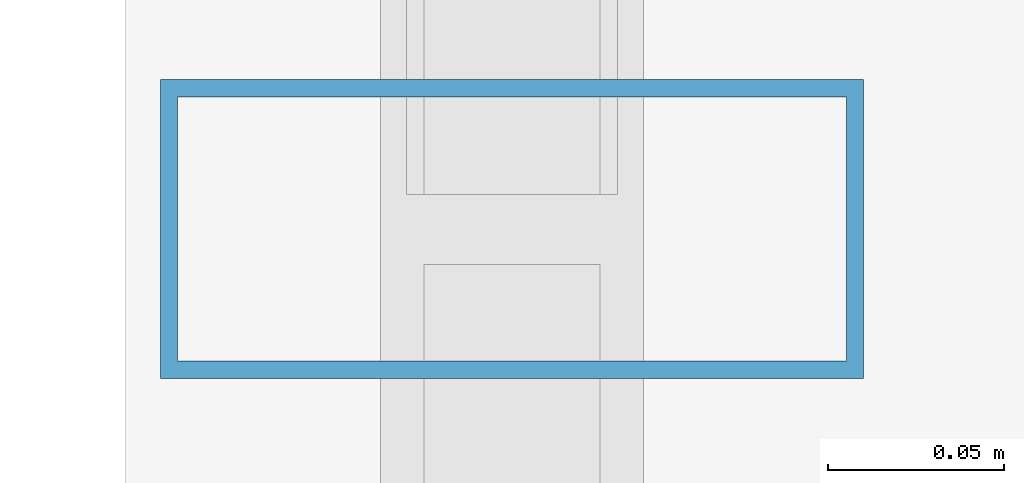
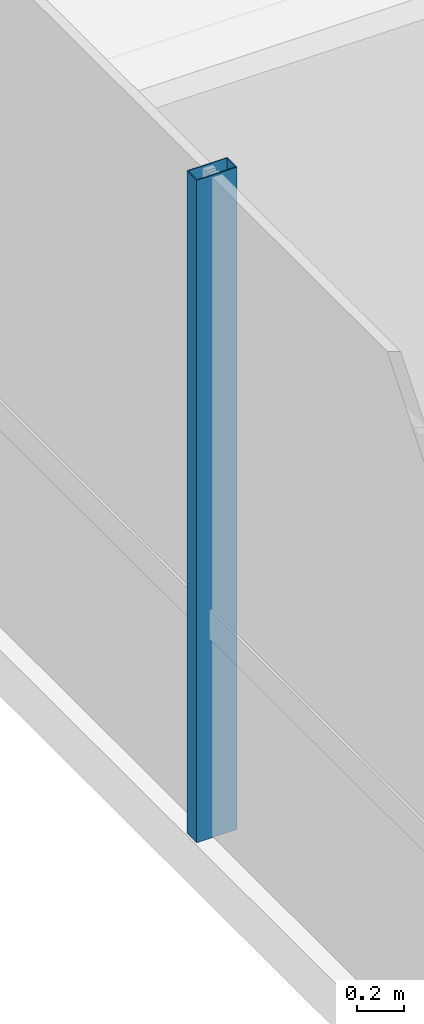
# One storey, part 8 of 40: 1 member, 1 element without a shape of its own.
"""IFC4 building model written with IfcOpenShell, lengths in metres."""

import ifcopenshell
import ifcopenshell.guid

model = None  # the IFC model being written
_history = None  # IfcOwnerHistory: only IFC2X3 demands one
_inside = {}  # id of a spatial element -> (the spatial element, [elements in it])
_under = {}  # id of a project, library or spatial element -> (it, [spatial elements below it])
_declared = {}  # id of a project -> (the project, [libraries it declares])
_typed = {}  # id of a type object -> (the type object, [elements of that type])
_made_of = {}  # id of a material, layer set ... -> (it, [elements and type objects made of it])


def new_model(schema):
    """Start an empty IFC model of exactly this schema.

    Asked for "IFC4X3", IfcOpenShell would pick the latest addendum, in which some entities
    have other attributes; the version numbers below select the first issue.
    IFC2X3 requires an IfcOwnerHistory on every rooted entity: one is made here for all.
    """
    global model, _history
    if schema == "IFC4X3":
        model = ifcopenshell.file(schema_version=(4, 3, 0, 0))
    else:
        model = ifcopenshell.file(schema=schema)
    _inside.clear()
    _under.clear()
    _declared.clear()
    _typed.clear()
    _made_of.clear()
    _history = None
    if model.schema == "IFC2X3":
        org = make("IfcOrganization", Name="unknown")
        user = make(
            "IfcPersonAndOrganization",
            ThePerson=make("IfcPerson", FamilyName="unknown"),
            TheOrganization=org,
        )
        app = make(
            "IfcApplication",
            ApplicationDeveloper=org,
            Version="unknown",
            ApplicationFullName="unknown",
            ApplicationIdentifier="unknown",
        )
        _history = make(
            "IfcOwnerHistory",
            OwningUser=user,
            OwningApplication=app,
            ChangeAction="ADDED",
            CreationDate=0,
        )
    return model


def make(cls, **values):
    """One entity of the class cls with the attributes given. An attribute that is None is left unset."""
    return model.create_entity(
        cls, **{name: value for name, value in values.items() if value is not None}
    )


def rooted(cls, **values):
    """An entity with a GlobalId (a new one), such as an element, a storey or a relation."""
    return make(cls, GlobalId=ifcopenshell.guid.new(), OwnerHistory=_history, **values)


def si_unit(unit_type, name, prefix=None):
    """IfcSIUnit, for example si_unit("LENGTHUNIT", "METRE", prefix="MILLI")."""
    return make("IfcSIUnit", UnitType=unit_type, Prefix=prefix, Name=name)


def assignment(units):
    """IfcUnitAssignment: the units of a project."""
    return None if units is None else make("IfcUnitAssignment", Units=units)


def point(xyz):
    """IfcCartesianPoint."""
    return None if xyz is None else make("IfcCartesianPoint", Coordinates=xyz)


def direction(xyz):
    """IfcDirection."""
    return None if xyz is None else make("IfcDirection", DirectionRatios=xyz)


def frame(location, z_axis=None, x_axis=None):
    """IfcAxis2Placement3D, a coordinate frame: its origin and axes. An axis left out is left unset."""
    return make(
        "IfcAxis2Placement3D",
        Location=point(location),
        Axis=direction(z_axis),
        RefDirection=direction(x_axis),
    )


def frame_2d(location, x_axis=None):
    """IfcAxis2Placement2D, a coordinate frame in the plane: its origin and x axis."""
    return make(
        "IfcAxis2Placement2D", Location=point(location), RefDirection=direction(x_axis)
    )


def origin():
    """The frame at (0, 0, 0) with its axes left unset."""
    return frame((0.0, 0.0, 0.0))


def origin_2d():
    """The frame at (0, 0) in the plane with its x axis left unset."""
    return frame_2d((0.0, 0.0))


def place(relative_to, where):
    """IfcLocalPlacement: puts the frame where relative to a parent placement (None: the world)."""
    return make(
        "IfcLocalPlacement", PlacementRelTo=relative_to, RelativePlacement=where
    )


def context(
    kind, dimensions, precision=None, world=None, true_north=None, identifier=None
):
    """IfcGeometricRepresentationContext, for example the 3D "Model" context."""
    return make(
        "IfcGeometricRepresentationContext",
        ContextIdentifier=identifier,
        ContextType=kind,
        CoordinateSpaceDimension=dimensions,
        Precision=precision,
        WorldCoordinateSystem=world,
        TrueNorth=true_north,
    )


def subcontext(parent, identifier, kind, view, scale=None):
    """IfcGeometricRepresentationSubContext, for example "Body" below "Model"."""
    return make(
        "IfcGeometricRepresentationSubContext",
        ContextIdentifier=identifier,
        ContextType=kind,
        ParentContext=parent,
        TargetScale=scale,
        TargetView=view,
    )


def project(units=None, contexts=None):
    """IfcProject with its units and contexts."""
    return rooted(
        "IfcProject",
        Name="project",
        RepresentationContexts=contexts,
        UnitsInContext=assignment(units),
    )


def spatial(cls, under=None, at=None, **own):
    """A site, building, storey or space (cls), placed at a placement, below another one or the project."""
    s = rooted(cls, ObjectPlacement=at, **own)
    if under is not None:
        _under.setdefault(under.id(), (under, []))[1].append(s)
    return s


def profile(cls, at=None, kind="AREA", **sizes):
    """A parametric profile (cls). Its sizes go by their IFC names, for example OverallWidth=200.0."""
    return make(cls, ProfileType=kind, Position=at, **sizes)


def hollow_rectangle(**sizes):
    """IfcRectangleHollowProfileDef."""
    return profile("IfcRectangleHollowProfileDef", **sizes)


def extrude(swept, where, along, depth):
    """IfcExtrudedAreaSolid: the profile swept, set in the frame where, extruded along a direction by depth."""
    return make(
        "IfcExtrudedAreaSolid",
        SweptArea=swept,
        Position=where,
        ExtrudedDirection=direction(along),
        Depth=depth,
    )


def shape(context_of_items, identifier, shape_type, items):
    """IfcShapeRepresentation: the items that make up one representation, for example the "Body"."""
    return make(
        "IfcShapeRepresentation",
        ContextOfItems=context_of_items,
        RepresentationIdentifier=identifier,
        RepresentationType=shape_type,
        Items=items,
    )


def source(mapping_origin, context_of_items, identifier, shape_type, items):
    """IfcRepresentationMap: a shape defined once, which mapped items show again and again."""
    return make(
        "IfcRepresentationMap",
        MappingOrigin=mapping_origin,
        MappedRepresentation=shape(context_of_items, identifier, shape_type, items),
    )


def transform(
    local_origin,
    x_axis=None,
    y_axis=None,
    z_axis=None,
    scale=None,
    scale2=None,
    scale3=None,
    uniform=True,
):
    """IfcCartesianTransformationOperator3D, or its non-uniform kind. x_axis, y_axis, z_axis: its Axis1, 2, 3."""
    if uniform:
        return make(
            "IfcCartesianTransformationOperator3D",
            Axis1=direction(x_axis),
            Axis2=direction(y_axis),
            LocalOrigin=point(local_origin),
            Scale=scale,
            Axis3=direction(z_axis),
        )
    return make(
        "IfcCartesianTransformationOperator3DnonUniform",
        Axis1=direction(x_axis),
        Axis2=direction(y_axis),
        LocalOrigin=point(local_origin),
        Scale=scale,
        Axis3=direction(z_axis),
        Scale2=scale2,
        Scale3=scale3,
    )


def mapped(mapping_source, mapping_target):
    """IfcMappedItem: shows the shape of a source again, moved by a transform."""
    return make(
        "IfcMappedItem", MappingSource=mapping_source, MappingTarget=mapping_target
    )


def material(Name=None, Category=None):
    """IfcMaterial."""
    return make("IfcMaterial", Name=Name, Category=Category)


def material_profile(
    of_material, cross_section, Name=None, Category=None, Priority=None
):
    """IfcMaterialProfile: a cross section and its material."""
    return make(
        "IfcMaterialProfile",
        Name=Name,
        Material=of_material,
        Profile=cross_section,
        Priority=Priority,
        Category=Category,
    )


def profile_set(profiles, Name=None, composite=None):
    """IfcMaterialProfileSet."""
    return make(
        "IfcMaterialProfileSet",
        Name=Name,
        MaterialProfiles=profiles,
        CompositeProfile=composite,
    )


def made_of(thing, what):
    """Note that an element or type object is made of a material, layer set ...; save() writes the relation."""
    if what is not None:
        _made_of.setdefault(what.id(), (what, []))[1].append(thing)
    return thing


def type_object(cls, material=None, **own):
    """A type object (cls), such as IfcWallType, which elements share."""
    return made_of(rooted(cls, **own), material)


def element(
    cls,
    number,
    at=None,
    inside=None,
    cuts=None,
    type_object=None,
    material=None,
    context=None,
    identifier="Body",
    shape_type=None,
    held_by="IfcProductDefinitionShape",
    body=None,
    shapes=None,
    **own,
):
    """One element of the class cls, such as IfcWall. Its Tag is "e" and its number.

    at: its placement. inside: the storey or other place that contains it. cuts: it is an
    opening in that element (IfcRelVoidsElement). A single representation is given by context,
    identifier, shape_type and body (its items); several are given by shapes. held_by: the class
    of the entity that holds the representations. save() writes the other relations.
    """
    e = rooted(cls, Tag="e%d" % number, ObjectPlacement=at, **own)
    if body is not None:
        shapes = [shape(context, identifier, shape_type, body)]
    if shapes is not None:
        e.Representation = make(held_by, Representations=shapes)
    if inside is not None:
        _inside.setdefault(inside.id(), (inside, []))[1].append(e)
    if cuts is not None:
        rooted(
            "IfcRelVoidsElement", RelatingBuildingElement=cuts, RelatedOpeningElement=e
        )
    if type_object is not None:
        _typed.setdefault(type_object.id(), (type_object, []))[1].append(e)
    return made_of(e, material)


def aggregate(whole, parts):
    """IfcRelAggregates: a whole, such as a stair, and the parts it consists of."""
    return rooted("IfcRelAggregates", RelatingObject=whole, RelatedObjects=parts)


def save(model, path):
    """Write the relations noted so far, then the file.

    IfcRelAggregates (storeys below a building ...), IfcRelContainedInSpatialStructure (elements
    in a storey), IfcRelDefinesByType, IfcRelAssociatesMaterial and IfcRelDeclares: one each for
    every whole, place, type object, material and project.
    """
    for whole, parts in _under.values():
        aggregate(whole, parts)
    for where, things in _inside.values():
        rooted(
            "IfcRelContainedInSpatialStructure",
            RelatedElements=things,
            RelatingStructure=where,
        )
    for kind, things in _typed.values():
        rooted("IfcRelDefinesByType", RelatedObjects=things, RelatingType=kind)
    for what, things in _made_of.values():
        rooted("IfcRelAssociatesMaterial", RelatedObjects=things, RelatingMaterial=what)
    for by, libraries in _declared.values():
        rooted("IfcRelDeclares", RelatingContext=by, RelatedDefinitions=libraries)
    model.write(path)


model = new_model("IFC4")

# Units and contexts
model_context = context("Model", 3, precision=1e-05, world=origin(), true_north=direction((0.0, 1.0)))
body_context = subcontext(model_context, "Body", "Model", "MODEL_VIEW")
ifc_project = project(units=[si_unit("LENGTHUNIT", "METRE"), si_unit("AREAUNIT", "SQUARE_METRE"), si_unit("VOLUMEUNIT", "CUBIC_METRE"), si_unit("PLANEANGLEUNIT", "RADIAN"), si_unit("MASSUNIT", "GRAM", prefix="KILO")], contexts=[model_context])

# Site, building, storey
site_placement = place(None, origin())
site = spatial("IfcSite", under=ifc_project, at=site_placement, CompositionType="ELEMENT")
building_placement = place(site_placement, origin())
building = spatial("IfcBuilding", under=site, at=building_placement, Name="Valdorenza Pilgrim Sanctuary Tower", CompositionType="ELEMENT")
storey_placement = place(building_placement, frame((0.0, 0.0, 81.5)))
storey = spatial("IfcBuildingStorey", under=building, at=storey_placement, Name="L20", CompositionType="ELEMENT", Elevation=81.5)

# Curtain wall, member
ifc_material_1 = material(Name="Curtain-wall IGU glazing", Category="glass")
curtain_wall_type = type_object("IfcCurtainWallType", Name="CW-SYS-02", PredefinedType="NOTDEFINED", material=ifc_material_1)
curtain_wall_placement = place(storey_placement, origin())
curtain_wall = element("IfcCurtainWall", 1, at=curtain_wall_placement, inside=storey, type_object=curtain_wall_type, Name="L20 Curtain Wall CW-L20-1-1S1", PredefinedType="NOTDEFINED")
ifc_material_2 = material(Name="Anodised aluminium AW-6060", Category="aluminium")
ifc_material_profile = material_profile(ifc_material_2, hollow_rectangle(XDim=0.0849609375, YDim=0.199951171875, WallThickness=0.0048828125, at=origin_2d()), Name="ALU-M 200x85x5")
ifc_profile_set = profile_set([ifc_material_profile], Name="Anodised aluminium AW-6060")
member_type = type_object("IfcMemberType", Name="CW-MUL-02", PredefinedType="MULLION", material=ifc_profile_set)
shared_shape = source(origin(), body_context, "Body", "SweptSolid", [
    extrude(hollow_rectangle(XDim=0.0849609375, YDim=0.199951171875, WallThickness=0.0048828125, at=origin_2d()), origin(), (0.0, 0.0, 1.0), 3.4599609375),
])
member_placement = place(storey_placement, frame((-31.889892578125, -2.594482421875, 0.0), z_axis=(0.0, 0.0, 1.0), x_axis=(0.0, 1.0, 0.0)))
member = element("IfcMember", 2, at=member_placement, type_object=member_type, Name="CW-L20-1-1S1 Mullion 3", PredefinedType="MULLION", context=body_context, shape_type="MappedRepresentation", body=[
    mapped(shared_shape, transform((0.0, 0.0, 0.0), x_axis=(1.0, 0.0, 0.0), y_axis=(0.0, 1.0, 0.0), z_axis=(0.0, 0.0, 1.0), scale=1.0)),
])
aggregate(curtain_wall, [member])

save(model, "model.ifc")
